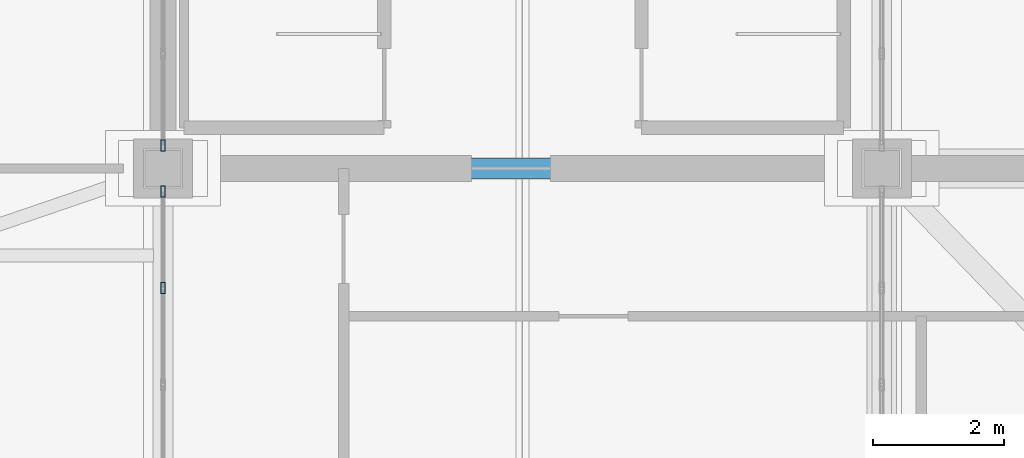
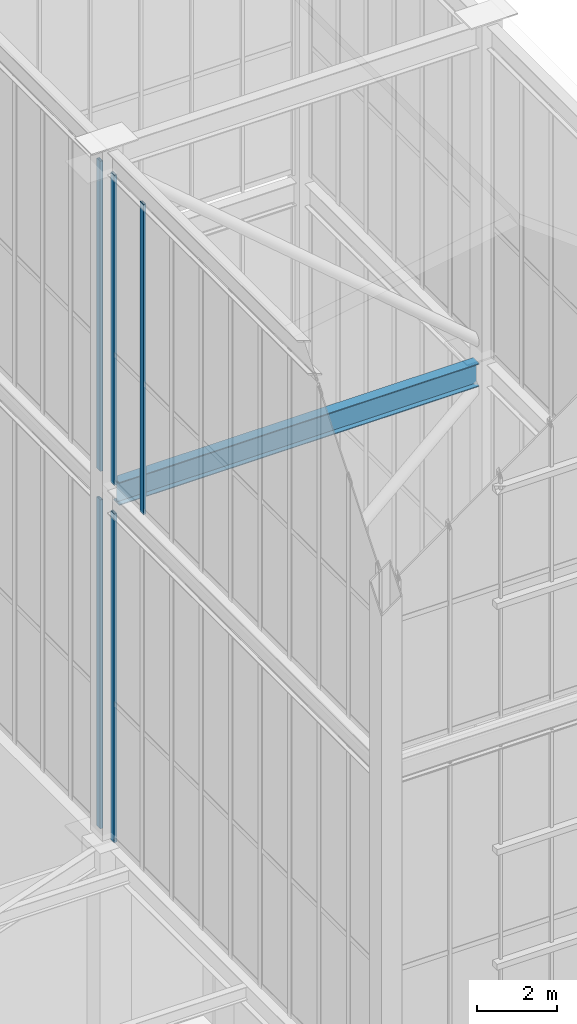
# One storey, part 9 of 135: 5 members, 1 beam, 4 elements without a shape of their own.
"""IFC4 building model written with IfcOpenShell, lengths in metres."""

from ifc_helpers import new_model, si_unit, direction, frame, origin, origin_2d, place, context, subcontext, project, spatial, hollow_rectangle, i_section, extrude, source, transform, mapped, material, layer, layer_set, material_profile, profile_set, type_object, element, aggregate, save


model = new_model("IFC4")

# Units and contexts
model_context = context("Model", 3, precision=1e-05, world=origin(), true_north=direction((0.0, 1.0)))
body_context = subcontext(model_context, "Body", "Model", "MODEL_VIEW")
ifc_project = project(units=[si_unit("LENGTHUNIT", "METRE"), si_unit("AREAUNIT", "SQUARE_METRE"), si_unit("VOLUMEUNIT", "CUBIC_METRE"), si_unit("PLANEANGLEUNIT", "RADIAN"), si_unit("MASSUNIT", "GRAM", prefix="KILO")], contexts=[model_context])

# Site, building, storey
site_placement = place(None, origin())
site = spatial("IfcSite", under=ifc_project, at=site_placement, CompositionType="ELEMENT")
building_placement = place(site_placement, origin())
building = spatial("IfcBuilding", under=site, at=building_placement, Name="Giltprow Tower", CompositionType="ELEMENT")
storey_placement = place(building_placement, frame((0.0, 0.0, 352.699951171875)))
storey = spatial("IfcBuildingStorey", under=building, at=storey_placement, Name="L92", CompositionType="ELEMENT", Elevation=352.699951171875)

# Beam
ifc_material_1 = material(Name="Structural steel Q355B", Category="steel")
ifc_material_profile_1 = material_profile(ifc_material_1, i_section(OverallWidth=0.300048828125, OverallDepth=0.699951171875, WebThickness=0.012939453125, FlangeThickness=0.02392578125, at=origin_2d()), Name="HN 700x300x13x24")
ifc_profile_set_1 = profile_set([ifc_material_profile_1], Name="Structural steel Q355B")
beam_type = type_object("IfcBeamType", Name="BM-GIRD-HN700", PredefinedType="BEAM", material=ifc_profile_set_1)
shared_shape_1 = source(origin(), body_context, "Body", "SweptSolid", [
    extrude(i_section(OverallWidth=0.300048828125, OverallDepth=0.699951171875, WebThickness=0.012939453125, FlangeThickness=0.02392578125, at=origin_2d()), origin(), (0.0, 0.0, 1.0), 10.39013671875),
])
beam_placement = place(storey_placement, frame((20.1298828125, 37.449951171875, 16.699951171875), z_axis=(1.0, 0.0, 0.0), x_axis=(0.0, 1.0, 0.0)))
element("IfcBeam", 1, at=beam_placement, inside=storey, type_object=beam_type, Name="Crown West Internal Cross Beam 1", PredefinedType="BEAM", context=body_context, shape_type="MappedRepresentation", body=[
    mapped(shared_shape_1, transform((0.0, 0.0, 0.0), x_axis=(1.0, 0.0, 0.0), y_axis=(0.0, 1.0, 0.0), z_axis=(0.0, 0.0, 1.0), scale=1.0)),
])

# Curtain wall, member
ifc_material_2 = material(Name="Anodized bronze", Category="metal")
ifc_layer = layer(ifc_material_2, 0.179931640625, Name="Anodized bronze")
ifc_layer_set = layer_set([ifc_layer], Name="Anodized bronze")
curtain_wall_type = type_object("IfcCurtainWallType", Name="CW-CROWN-LANTERN", PredefinedType="NOTDEFINED", material=ifc_layer_set)
curtain_wall_1_placement = place(storey_placement, origin())
curtain_wall_1 = element("IfcCurtainWall", 2, at=curtain_wall_1_placement, inside=storey, type_object=curtain_wall_type, Name="Crown West Lower Lantern Glazing 5", PredefinedType="NOTDEFINED")
ifc_material_profile_2 = material_profile(ifc_material_2, hollow_rectangle(XDim=0.074951171875, YDim=0.179931640625, WallThickness=0.008056640625, at=origin_2d()), Name="RHS 180x75x8")
ifc_profile_set_2 = profile_set([ifc_material_profile_2], Name="Anodized bronze")
member_type = type_object("IfcMemberType", Name="CW-MULLION-180x75", PredefinedType="MULLION", material=ifc_profile_set_2)
shared_shape_2 = source(origin(), body_context, "Body", "SweptSolid", [
    extrude(hollow_rectangle(XDim=0.074951171875, YDim=0.179931640625, WallThickness=0.008056640625, at=origin_2d()), origin(), (0.0, 0.0, 1.0), 10.030029296875),
])
member_1_placement = place(storey_placement, frame((19.85009765625, 37.800048828125, 6.35009765625), z_axis=(0.0, 0.0, 1.0), x_axis=(1.0, 0.0, 0.0)))
member_1 = element("IfcMember", 3, at=member_1_placement, type_object=member_type, Name="Crown West Lower Lantern Glazing 5 Mullion 7", PredefinedType="MULLION", context=body_context, shape_type="MappedRepresentation", body=[
    mapped(shared_shape_2, transform((0.0, 0.0, 0.0), x_axis=(1.0, 0.0, 0.0), y_axis=(0.0, 1.0, 0.0), z_axis=(0.0, 0.0, 1.0), scale=1.0)),
])
aggregate(curtain_wall_1, [member_1])

curtain_wall_2_placement = place(storey_placement, origin())
curtain_wall_2 = element("IfcCurtainWall", 4, at=curtain_wall_2_placement, inside=storey, type_object=curtain_wall_type, Name="Crown West Lower Lantern Glazing 6", PredefinedType="NOTDEFINED")
member_2_placement = place(storey_placement, frame((19.85009765625, 37.10009765625, 6.35009765625), z_axis=(0.0, 0.0, 1.0), x_axis=(1.0, 0.0, 0.0)))
member_2 = element("IfcMember", 5, at=member_2_placement, type_object=member_type, Name="Crown West Lower Lantern Glazing 6 Mullion 1", PredefinedType="MULLION", context=body_context, shape_type="MappedRepresentation", body=[
    mapped(shared_shape_2, transform((0.0, 0.0, 0.0), x_axis=(1.0, 0.0, 0.0), y_axis=(0.0, 1.0, 0.0), z_axis=(0.0, 0.0, 1.0), scale=1.0)),
])
aggregate(curtain_wall_2, [member_2])

curtain_wall_3_placement = place(storey_placement, origin())
curtain_wall_3 = element("IfcCurtainWall", 6, at=curtain_wall_3_placement, inside=storey, type_object=curtain_wall_type, Name="Crown West Upper Lantern Glazing 5", PredefinedType="NOTDEFINED")
shared_shape_3 = source(origin(), body_context, "Body", "SweptSolid", [
    extrude(hollow_rectangle(XDim=0.074951171875, YDim=0.179931640625, WallThickness=0.008056640625, at=origin_2d()), origin(), (0.0, 0.0, 1.0), 9.45703125),
])
member_3_placement = place(storey_placement, frame((19.85009765625, 37.800048828125, 17.25), z_axis=(0.0, 0.0, 1.0), x_axis=(1.0, 0.0, 0.0)))
member_3 = element("IfcMember", 7, at=member_3_placement, type_object=member_type, Name="Crown West Upper Lantern Glazing 5 Mullion 7", PredefinedType="MULLION", context=body_context, shape_type="MappedRepresentation", body=[
    mapped(shared_shape_3, transform((0.0, 0.0, 0.0), x_axis=(1.0, 0.0, 0.0), y_axis=(0.0, 1.0, 0.0), z_axis=(0.0, 0.0, 1.0), scale=1.0)),
])
aggregate(curtain_wall_3, [member_3])

# Curtain wall, members
curtain_wall_4_placement = place(storey_placement, origin())
curtain_wall_4 = element("IfcCurtainWall", 8, at=curtain_wall_4_placement, inside=storey, type_object=curtain_wall_type, Name="Crown West Upper Lantern Glazing 6", PredefinedType="NOTDEFINED")
member_4_placement = place(storey_placement, frame((19.85009765625, 37.10009765625, 17.25), z_axis=(0.0, 0.0, 1.0), x_axis=(1.0, 0.0, 0.0)))
member_4 = element("IfcMember", 9, at=member_4_placement, type_object=member_type, Name="Crown West Upper Lantern Glazing 6 Mullion 1", PredefinedType="MULLION", context=body_context, shape_type="MappedRepresentation", body=[
    mapped(shared_shape_3, transform((0.0, 0.0, 0.0), x_axis=(1.0, 0.0, 0.0), y_axis=(0.0, 1.0, 0.0), z_axis=(0.0, 0.0, 1.0), scale=1.0)),
])
member_5_placement = place(storey_placement, frame((19.85009765625, 35.6279296875, 17.25), z_axis=(0.0, 0.0, 1.0), x_axis=(1.0, 0.0, 0.0)))
member_5 = element("IfcMember", 10, at=member_5_placement, type_object=member_type, Name="Crown West Upper Lantern Glazing 6 Mullion 2", PredefinedType="MULLION", context=body_context, shape_type="MappedRepresentation", body=[
    mapped(shared_shape_3, transform((0.0, 0.0, 0.0), x_axis=(1.0, 0.0, 0.0), y_axis=(0.0, 1.0, 0.0), z_axis=(0.0, 0.0, 1.0), scale=1.0)),
])
aggregate(curtain_wall_4, [member_4, member_5])

save(model, "model.ifc")
